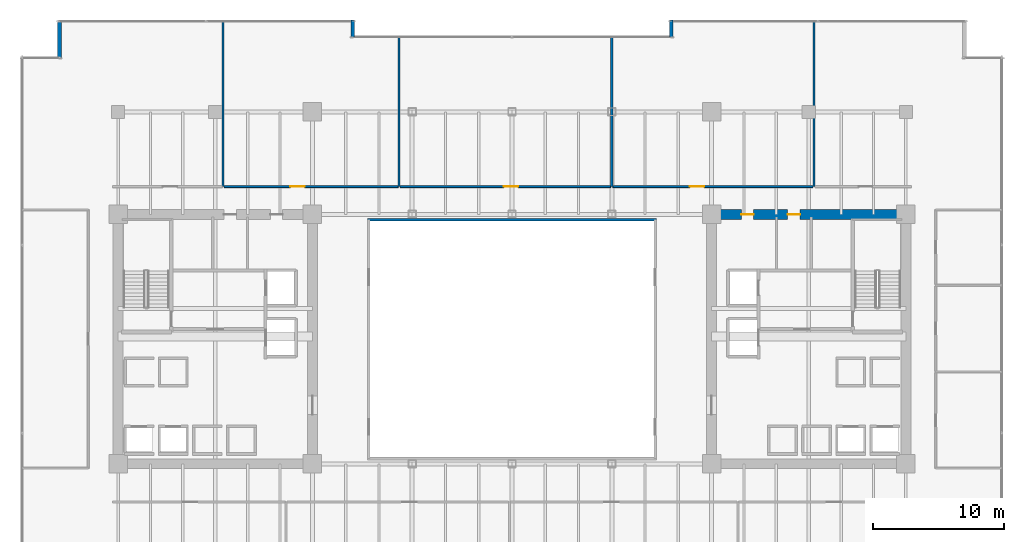
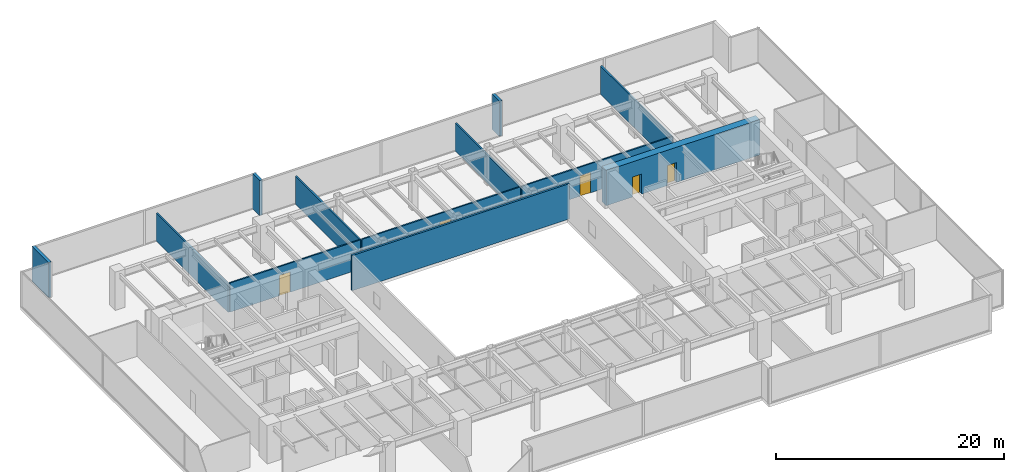
# One storey, part 31 of 35: 12 walls, 5 doors, 5 openings.
"""IFC4 building model written with IfcOpenShell, lengths in metres."""

from ifc_helpers import new_model, si_unit, direction, frame, frame_2d, origin, place, context, subcontext, project, spatial, rectangle, extrude, source, transform, mapped, material, layer, layer_set, type_object, type_shapes, element, fill, save


model = new_model("IFC4")

# Units and contexts
model_context = context("Model", 3, precision=1e-05, world=origin(), true_north=direction((0.0, 1.0)))
body_context = subcontext(model_context, "Body", "Model", "MODEL_VIEW")
ifc_project = project(units=[si_unit("LENGTHUNIT", "METRE"), si_unit("AREAUNIT", "SQUARE_METRE"), si_unit("VOLUMEUNIT", "CUBIC_METRE"), si_unit("PLANEANGLEUNIT", "RADIAN"), si_unit("MASSUNIT", "GRAM", prefix="KILO")], contexts=[model_context])

# Site, building, storey
site_placement = place(None, origin())
site = spatial("IfcSite", under=ifc_project, at=site_placement, CompositionType="ELEMENT")
building_placement = place(site_placement, origin())
building = spatial("IfcBuilding", under=site, at=building_placement, Name="Haelvirn Gate Laboratories", CompositionType="ELEMENT")
storey_placement = place(building_placement, frame((0.0, 0.0, 70.300048828125)))
storey = spatial("IfcBuildingStorey", under=building, at=storey_placement, Name="L17", CompositionType="ELEMENT", Elevation=70.300048828125)

# Walls
ifc_material_1 = material(Name="Thermally-broken bronze aluminium rainscreen & mineral wool", Category="aluminium")
ifc_layer_1 = layer(ifc_material_1, 0.280029296875, Name="EW-TERR-280")
ifc_layer_set_1 = layer_set([ifc_layer_1], Name="Thermally-broken bronze aluminium rainscreen & mineral wool")
wall_type_1 = type_object("IfcWallType", Name="EW-TERR-280", PredefinedType="STANDARD", material=ifc_layer_set_1)
for number, where, z_axis, x_axis, name in (
    (1, (49.5400390625, 48.60009765625, 0.0), (0.0, 0.0, 1.0), (0.0, -1.0, 0.0), "L17 Atrium Recess Bronze Return Wall 11"),
    (2, (25.260009765625, 47.31201171875, 0.0), (0.0, 0.0, 1.0), (0.0, 1.0, 0.0), "L17 Atrium Recess Bronze Return Wall 13"),
):
    element("IfcWall", number, at=place(storey_placement, frame(where, z_axis=z_axis, x_axis=x_axis)), inside=storey, type_object=wall_type_1, Name=name, PredefinedType="STANDARD", context=body_context, shape_type="SweptSolid", body=[
        extrude(rectangle(XDim=1.2880859375, YDim=0.280029296875, at=frame_2d((0.64404296875, 0.0))), origin(), (0.0, 0.0, 1.0), 3.780029296875),
    ])
wall_1_placement = place(storey_placement, frame((2.93994140625, 48.60009765625, 0.0), z_axis=(0.0, 0.0, 1.0), x_axis=(0.0, -1.0, 0.0)))
element("IfcWall", 3, at=wall_1_placement, inside=storey, type_object=wall_type_1, Name="L17 Atrium Recess Bronze Return Wall 15", PredefinedType="STANDARD", context=body_context, shape_type="SweptSolid", body=[
    extrude(rectangle(XDim=2.88818359375, YDim=0.280029296875, at=frame_2d((1.444091796875, 0.0))), origin(), (0.0, 0.0, 1.0), 3.780029296875),
])
ifc_material_2 = material(Name="Double-layer acoustic gypsum laboratory partition", Category="gypsum")
ifc_layer_2 = layer(ifc_material_2, 0.159912109375, Name="IW-ACOUST-160")
ifc_layer_set_2 = layer_set([ifc_layer_2], Name="Double-layer acoustic gypsum laboratory partition")
wall_type_2 = type_object("IfcWallType", Name="IW-ACOUST-160", PredefinedType="PARTITIONING", material=ifc_layer_set_2)
wall_2_placement = place(storey_placement, frame((15.39990234375, 35.909912109375, 0.0), z_axis=(0.0, 0.0, 1.0), x_axis=(0.0, 1.0, 0.0)))
element("IfcWall", 4, at=wall_2_placement, inside=storey, type_object=wall_type_2, Name="L17 Interior Wall IW-L17-NDIV-01", PredefinedType="PARTITIONING", context=body_context, shape_type="SweptSolid", body=[
    extrude(rectangle(XDim=12.580078125, YDim=0.159912109375, at=frame_2d((6.2900390625, 0.0))), origin(), (0.0, 0.0, 1.0), 3.014892578125),
])
for number, where, z_axis, x_axis, name in (
    (5, (28.800048828125, 35.909912109375, 0.0), (0.0, 0.0, 1.0), (0.0, 1.0, 0.0), "L17 Interior Wall IW-L17-NDIV-02"),
    (6, (45.0, 35.909912109375, 0.0), (0.0, 0.0, 1.0), (0.0, 1.0, 0.0), "L17 Interior Wall IW-L17-NDIV-03"),
):
    element("IfcWall", number, at=place(storey_placement, frame(where, z_axis=z_axis, x_axis=x_axis)), inside=storey, type_object=wall_type_2, Name=name, PredefinedType="PARTITIONING", context=body_context, shape_type="SweptSolid", body=[
        extrude(rectangle(XDim=11.380126953125, YDim=0.159912109375, at=frame_2d((5.68994140625, 0.0))), origin(), (0.0, 0.0, 1.0), 3.014892578125),
    ])
wall_3_placement = place(storey_placement, frame((60.39990234375, 35.909912109375, 0.0), z_axis=(0.0, 0.0, 1.0), x_axis=(0.0, 1.0, 0.0)))
element("IfcWall", 7, at=wall_3_placement, inside=storey, type_object=wall_type_2, Name="L17 Interior Wall IW-L17-NDIV-04", PredefinedType="PARTITIONING", context=body_context, shape_type="SweptSolid", body=[
    extrude(rectangle(XDim=12.580078125, YDim=0.159912109375, at=frame_2d((6.2900390625, 0.0))), origin(), (0.0, 0.0, 1.0), 3.014892578125),
])
ifc_material_3 = material(Name="Tempered fire-rated borosilicate glass & anodised aluminium", Category="aluminium")
ifc_layer_3 = layer(ifc_material_3, 0.195068359375, Name="IW-GLAZ-200")
ifc_layer_set_3 = layer_set([ifc_layer_3], Name="Tempered fire-rated borosilicate glass & anodised aluminium")
wall_type_3 = type_object("IfcWallType", Name="IW-GLAZ-200", PredefinedType="SOLIDWALL", material=ifc_layer_set_3)
wall_4_placement = place(storey_placement, frame((26.39990234375, 33.39990234375, 0.0), z_axis=(0.0, 0.0, 1.0), x_axis=(1.0, 0.0, 0.0)))
element("IfcWall", 8, at=wall_4_placement, inside=storey, type_object=wall_type_3, Name="L17 Interior Wall IW-L17-ATRIUM-N", PredefinedType="SOLIDWALL", context=body_context, shape_type="SweptSolid", body=[
    extrude(rectangle(XDim=22.0, YDim=0.195068359375, at=frame_2d((11.0, 0.0))), origin(), (0.0, 0.0, 1.0), 3.780029296875),
])

# Wall, opening, door
ifc_material_4 = material(Name="Acoustic mineral-wool gypsum board partition", Category="gypsum")
ifc_layer_4 = layer(ifc_material_4, 0.139892578125, Name="IW-PART-140")
ifc_layer_set_4 = layer_set([ifc_layer_4], Name="Acoustic mineral-wool gypsum board partition")
wall_type_4 = type_object("IfcWallType", Name="IW-PART-140", PredefinedType="PARTITIONING", material=ifc_layer_set_4)
wall_5_placement = place(storey_placement, frame((15.47998046875, 35.909912109375, 0.0), z_axis=(0.0, 0.0, 1.0), x_axis=(1.0, 0.0, 0.0)))
wall_5 = element("IfcWall", 9, at=wall_5_placement, inside=storey, type_object=wall_type_4, Name="L17 Interior Wall IW-L17-NCORR-02", PredefinedType="PARTITIONING", context=body_context, shape_type="SweptSolid", body=[
    extrude(rectangle(XDim=13.239990234375, YDim=0.139892578125, at=frame_2d((6.6201171875, 0.0))), origin(), (0.0, 0.0, 1.0), 3.114990234375),
])
opening_1_placement = place(wall_5_placement, frame((5.040283203125, 0.0, 0.0)))
opening_1 = element("IfcOpeningElement", 10, at=opening_1_placement, cuts=wall_5, Name="Opening D1", PredefinedType="OPENING", context=body_context, shape_type="SweptSolid", body=[
    extrude(rectangle(XDim=1.10009765625, YDim=2.179931640625, at=frame_2d((0.550048828125, 1.08984375))), frame((0.0, 0.080078125, 0.0), z_axis=(0.0, -1.0, 0.0), x_axis=(1.0, 0.0, 0.0)), (0.0, 0.0, 1.0), 0.159912109375),
])
ifc_material_5 = material(Name="Vision-panel acoustic solid-core timber lab door", Category="wood")
door_type_1 = type_object("IfcDoorType", Name="DR-LAB-1100", OperationType="NOTDEFINED", PredefinedType="DOOR", material=ifc_material_5)
shared_shape_1 = source(origin(), body_context, "Body", "SweptSolid", [
    extrude(rectangle(XDim=1.10009765625, YDim=2.179931640625, at=frame_2d((0.550048828125, 1.08984375))), frame((0.0, 0.02490234375, 0.0), z_axis=(0.0, -1.0, 0.0), x_axis=(1.0, 0.0, 0.0)), (0.0, 0.0, 1.0), 0.050048828125),
])
type_shapes(door_type_1, [shared_shape_1])
door_1_placement = place(opening_1_placement, origin())
door_1 = element("IfcDoor", 11, at=door_1_placement, inside=storey, type_object=door_type_1, Name="L17 Protocol Briefing Training Room Door N2", OperationType="SINGLE_SWING_RIGHT", OverallHeight=2.179931640625, OverallWidth=1.10009765625, PredefinedType="DOOR", context=body_context, shape_type="MappedRepresentation", body=[
    mapped(shared_shape_1, transform((0.0, 0.0, 0.0), scale=1.0)),
])
fill(opening_1, door_1)

wall_6_placement = place(storey_placement, frame((28.8798828125, 35.909912109375, 0.0), z_axis=(0.0, 0.0, 1.0), x_axis=(1.0, 0.0, 0.0)))
wall_6 = element("IfcWall", 12, at=wall_6_placement, inside=storey, type_object=wall_type_4, Name="L17 Interior Wall IW-L17-NCORR-03", PredefinedType="PARTITIONING", context=body_context, shape_type="SweptSolid", body=[
    extrude(rectangle(XDim=16.0400390625, YDim=0.139892578125, at=frame_2d((8.02001953125, 0.0))), origin(), (0.0, 0.0, 1.0), 3.114990234375),
])
opening_2_placement = place(wall_6_placement, frame((7.897216796875, 0.0, 0.0)))
opening_2 = element("IfcOpeningElement", 13, at=opening_2_placement, cuts=wall_6, Name="Opening D1", PredefinedType="OPENING", context=body_context, shape_type="SweptSolid", body=[
    extrude(rectangle(XDim=1.10009765625, YDim=2.179931640625, at=frame_2d((0.550048828125, 1.08984375))), frame((0.0, 0.080078125, 0.0), z_axis=(0.0, -1.0, 0.0), x_axis=(1.0, 0.0, 0.0)), (0.0, 0.0, 1.0), 0.159912109375),
])
door_2_placement = place(opening_2_placement, origin())
door_2 = element("IfcDoor", 14, at=door_2_placement, inside=storey, type_object=door_type_1, Name="L17 Postdoctoral Reading Lounge Door N3", OperationType="SINGLE_SWING_LEFT", OverallHeight=2.179931640625, OverallWidth=1.10009765625, PredefinedType="DOOR", context=body_context, shape_type="MappedRepresentation", body=[
    mapped(shared_shape_1, transform((0.0, 0.0, 0.0), scale=1.0)),
])
fill(opening_2, door_2)

wall_7_placement = place(storey_placement, frame((45.080078125, 35.909912109375, 0.0), z_axis=(0.0, 0.0, 1.0), x_axis=(1.0, 0.0, 0.0)))
wall_7 = element("IfcWall", 15, at=wall_7_placement, inside=storey, type_object=wall_type_4, Name="L17 Interior Wall IW-L17-NCORR-04", PredefinedType="PARTITIONING", context=body_context, shape_type="SweptSolid", body=[
    extrude(rectangle(XDim=15.239990234375, YDim=0.139892578125, at=frame_2d((7.6201171875, 0.0))), origin(), (0.0, 0.0, 1.0), 3.114990234375),
])
opening_3_placement = place(wall_7_placement, frame((5.8603515625, 0.0, 0.0)))
opening_3 = element("IfcOpeningElement", 16, at=opening_3_placement, cuts=wall_7, Name="Opening D1", PredefinedType="OPENING", context=body_context, shape_type="SweptSolid", body=[
    extrude(rectangle(XDim=1.10009765625, YDim=2.179931640625, at=frame_2d((0.550048828125, 1.08984375))), frame((0.0, 0.080078125, 0.0), z_axis=(0.0, -1.0, 0.0), x_axis=(1.0, 0.0, 0.0)), (0.0, 0.0, 1.0), 0.159912109375),
])
door_3_placement = place(opening_3_placement, origin())
door_3 = element("IfcDoor", 17, at=door_3_placement, inside=storey, type_object=door_type_1, Name="L17 Researcher Quiet Study Door N4", OperationType="SINGLE_SWING_RIGHT", OverallHeight=2.179931640625, OverallWidth=1.10009765625, PredefinedType="DOOR", context=body_context, shape_type="MappedRepresentation", body=[
    mapped(shared_shape_1, transform((0.0, 0.0, 0.0), scale=1.0)),
])
fill(opening_3, door_3)

# Wall, openings, doors
ifc_material_6 = material(Name="Concrete C70/85", Category="concrete")
ifc_layer_5 = layer(ifc_material_6, 0.75, Name="SW-CORE-750")
ifc_layer_set_5 = layer_set([ifc_layer_5], Name="Concrete C70/85")
wall_type_5 = type_object("IfcWallType", Name="SW-CORE-750", PredefinedType="SHEAR", material=ifc_layer_set_5)
wall_8_placement = place(storey_placement, frame((52.22509765625, 33.800048828125, 0.0), z_axis=(0.0, 0.0, 1.0), x_axis=(1.0, 0.0, 0.0)))
wall_8 = element("IfcWall", 18, at=wall_8_placement, inside=storey, type_object=wall_type_5, Name="L17 E Core Shear Wall N", PredefinedType="SHEAR", context=body_context, shape_type="SweptSolid", body=[
    extrude(rectangle(XDim=15.5498046875, YDim=0.75, at=frame_2d((7.77490234375, 0.0))), origin(), (0.0, 0.0, 1.0), 3.780029296875),
])
opening_4_placement = place(wall_8_placement, frame((6.175048828125, 0.0, 0.0)))
opening_4 = element("IfcOpeningElement", 19, at=opening_4_placement, cuts=wall_8, Name="Opening FD4", PredefinedType="OPENING", context=body_context, shape_type="SweptSolid", body=[
    extrude(rectangle(XDim=0.949951171875, YDim=2.14990234375, at=frame_2d((0.47509765625, 1.074951171875))), frame((0.0, 0.385009765625, 0.0), z_axis=(0.0, -1.0, 0.0), x_axis=(1.0, 0.0, 0.0)), (0.0, 0.0, 1.0), 0.77001953125),
])
opening_5_placement = place(wall_8_placement, frame((2.635009765625, 0.0, 0.0)))
opening_5 = element("IfcOpeningElement", 20, at=opening_5_placement, cuts=wall_8, Name="Opening FD4", PredefinedType="OPENING", context=body_context, shape_type="SweptSolid", body=[
    extrude(rectangle(XDim=0.949951171875, YDim=2.14990234375, at=frame_2d((0.47509765625, 1.074951171875))), frame((0.0, 0.385009765625, 0.0), z_axis=(0.0, -1.0, 0.0), x_axis=(1.0, 0.0, 0.0)), (0.0, 0.0, 1.0), 0.77001953125),
])
ifc_material_7 = material(Name="Fire-rated steel SM355 core service door", Category="steel")
door_type_2 = type_object("IfcDoorType", Name="DR-FD-950", OperationType="NOTDEFINED", PredefinedType="DOOR", material=ifc_material_7)
shared_shape_2 = source(origin(), body_context, "Body", "SweptSolid", [
    extrude(rectangle(XDim=0.949951171875, YDim=2.14990234375, at=frame_2d((0.47509765625, 1.074951171875))), frame((0.0, 0.02490234375, 0.0), z_axis=(0.0, -1.0, 0.0), x_axis=(1.0, 0.0, 0.0)), (0.0, 0.0, 1.0), 0.050048828125),
])
type_shapes(door_type_2, [shared_shape_2])
door_4_placement = place(opening_4_placement, origin())
door_4 = element("IfcDoor", 21, at=door_4_placement, inside=storey, type_object=door_type_2, Name="L17 Accessible Restroom Fire Door", OperationType="SINGLE_SWING_RIGHT", OverallHeight=2.14990234375, OverallWidth=0.949951171875, PredefinedType="DOOR", context=body_context, shape_type="MappedRepresentation", body=[
    mapped(shared_shape_2, transform((0.0, 0.0, 0.0), scale=1.0)),
])
fill(opening_4, door_4)
door_5_placement = place(opening_5_placement, origin())
door_5 = element("IfcDoor", 22, at=door_5_placement, inside=storey, type_object=door_type_2, Name="L17 Staff Restroom Fire Door", OperationType="SINGLE_SWING_LEFT", OverallHeight=2.14990234375, OverallWidth=0.949951171875, PredefinedType="DOOR", context=body_context, shape_type="MappedRepresentation", body=[
    mapped(shared_shape_2, transform((0.0, 0.0, 0.0), scale=1.0)),
])
fill(opening_5, door_5)

save(model, "model.ifc")
